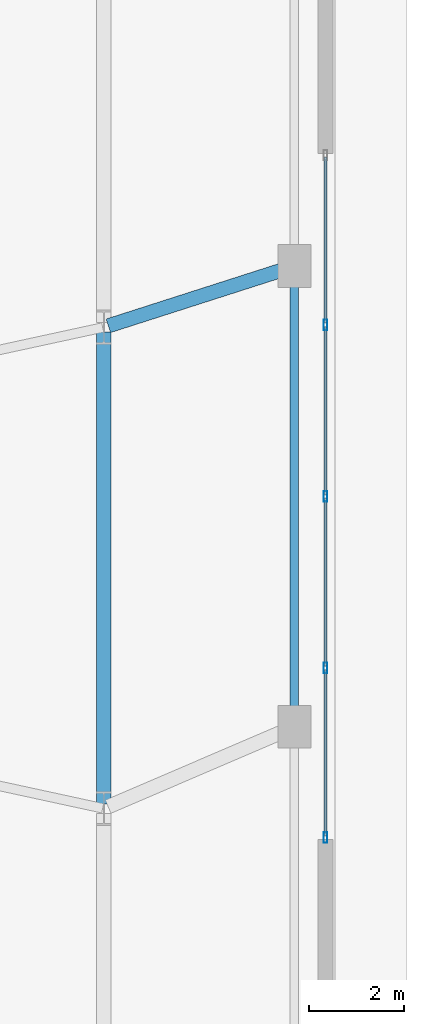
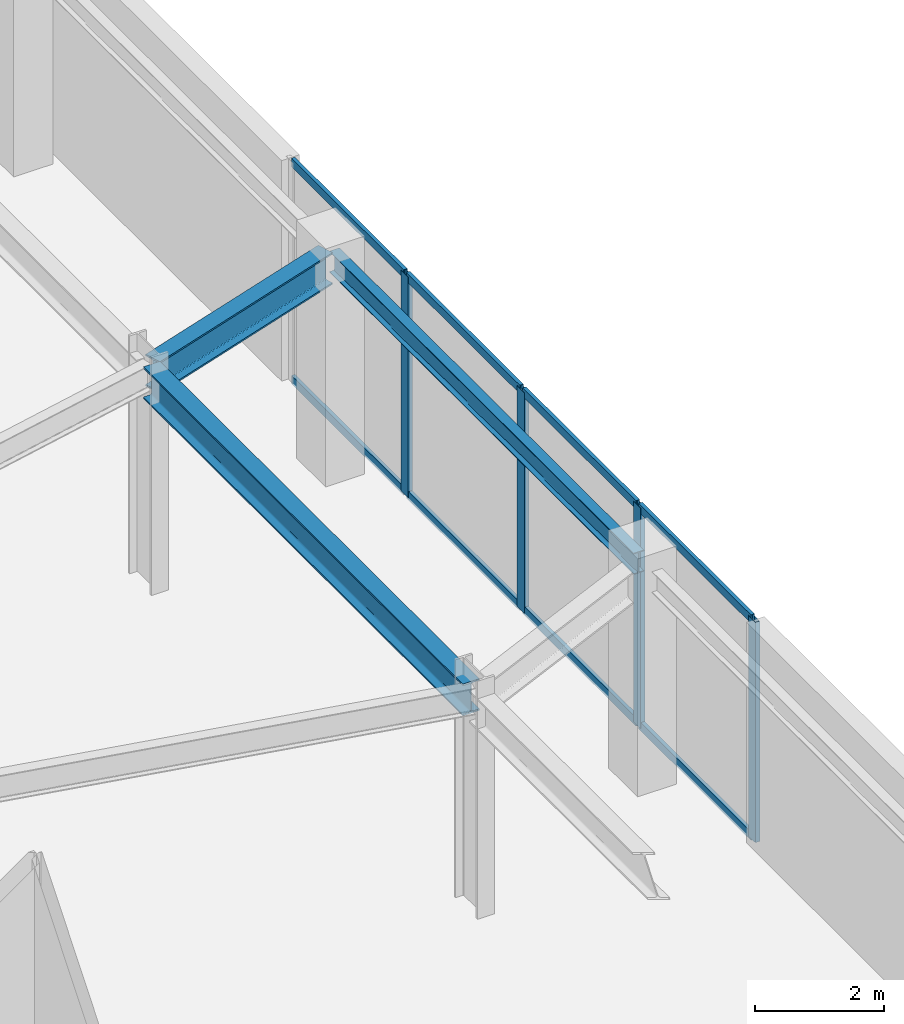
# One storey, part 10 of 21: 12 members, 3 beams, 1 element without a shape of its own.
"""IFC4 building model written with IfcOpenShell, lengths in metres."""

from ifc_helpers import new_model, si_unit, direction, frame, origin, origin_2d, place, context, subcontext, project, spatial, hollow_rectangle, i_section, extrude, material, layer, layer_set, material_profile, profile_set, type_object, element, aggregate, save


model = new_model("IFC4")

# Units and contexts
model_context = context("Model", 3, precision=1e-05, world=origin(), true_north=direction((0.0, 1.0)))
body_context = subcontext(model_context, "Body", "Model", "MODEL_VIEW")
ifc_project = project(units=[si_unit("LENGTHUNIT", "METRE"), si_unit("AREAUNIT", "SQUARE_METRE"), si_unit("VOLUMEUNIT", "CUBIC_METRE"), si_unit("PLANEANGLEUNIT", "RADIAN"), si_unit("MASSUNIT", "GRAM", prefix="KILO")], contexts=[model_context])

# Site, building, storey
site_placement = place(None, origin())
site = spatial("IfcSite", under=ifc_project, at=site_placement, CompositionType="ELEMENT")
building_placement = place(site_placement, origin())
building = spatial("IfcBuilding", under=site, at=building_placement, Name="Qobustan Lattice House", CompositionType="ELEMENT")
storey_placement = place(building_placement, frame((0.0, 0.0, 13.5)))
storey = spatial("IfcBuildingStorey", under=building, at=storey_placement, Name="L03", CompositionType="ELEMENT", Elevation=13.5)

# Beams
ifc_material_1 = material(Name="Steel S355", Category="steel")
ifc_material_profile_1 = material_profile(ifc_material_1, i_section(OverallWidth=0.300048828125, OverallDepth=0.60009765625, WebThickness=0.015380859375, FlangeThickness=0.030029296875, FilletRadius=0.027099609375, at=origin_2d()), Name="HEB600")
ifc_profile_set_1 = profile_set([ifc_material_profile_1], Name="Steel S355")
beam_type_1 = type_object("IfcBeamType", Name="BM-POD-HEB600", PredefinedType="USERDEFINED", material=ifc_profile_set_1)
beam_1_placement = place(storey_placement, frame((32.14990234375, -4.949951171875, 3.8701171875), z_axis=(0.0, 1.0, 0.0), x_axis=(-1.0, 0.0, 0.0)))
element("IfcBeam", 1, at=beam_1_placement, inside=storey, type_object=beam_type_1, Name="L03 tower base ring girder E2-E3", ObjectType="GIRDER", PredefinedType="USERDEFINED", context=body_context, shape_type="SweptSolid", body=[
    extrude(i_section(OverallWidth=0.300048828125, OverallDepth=0.60009765625, WebThickness=0.015380859375, FlangeThickness=0.030029296875, FilletRadius=0.027099609375, at=origin_2d()), origin(), (0.0, 0.0, 1.0), 9.89990234375),
])
beam_2_placement = place(storey_placement, frame((36.03564453125, 6.296630859375, 3.8701171875), z_axis=(-0.952198151545, -0.305481063561, 0.0), x_axis=(0.305481063561, -0.952198151545, 0.0)))
element("IfcBeam", 2, at=beam_2_placement, inside=storey, type_object=beam_type_1, Name="L03 podium radial girder PE3", ObjectType="GIRDER", PredefinedType="USERDEFINED", context=body_context, shape_type="SweptSolid", body=[
    extrude(i_section(OverallWidth=0.300048828125, OverallDepth=0.60009765625, WebThickness=0.015380859375, FlangeThickness=0.030029296875, FilletRadius=0.027099609375, at=origin_2d()), origin(), (0.0, 0.0, 1.0), 3.980712890625),
])
ifc_material_2 = material(Name="Steel S355", Category="steel")
ifc_material_profile_2 = material_profile(ifc_material_2, i_section(OverallWidth=0.179931640625, OverallDepth=0.39990234375, WebThickness=0.008544921875, FlangeThickness=0.013427734375, FilletRadius=0.02099609375, at=origin_2d()), Name="IPE400")
ifc_profile_set_2 = profile_set([ifc_material_profile_2], Name="Steel S355")
beam_type_2 = type_object("IfcBeamType", Name="BM-SPD-IPE400", PredefinedType="SPANDREL", material=ifc_profile_set_2)
beam_3_placement = place(storey_placement, frame((36.14990234375, -3.21337890625, 3.969970703125), z_axis=(0.0, 1.0, 0.0), x_axis=(-1.0, 0.0, 0.0)))
element("IfcBeam", 3, at=beam_3_placement, inside=storey, type_object=beam_type_2, Name="L03 podium spandrel PE2-PE3", PredefinedType="SPANDREL", context=body_context, shape_type="SweptSolid", body=[
    extrude(i_section(OverallWidth=0.179931640625, OverallDepth=0.39990234375, WebThickness=0.008544921875, FlangeThickness=0.013427734375, FilletRadius=0.02099609375, at=origin_2d()), origin(), (0.0, 0.0, 1.0), 9.4267578125),
])

# Curtain wall, members
ifc_material_3 = material(Name="Anodised aluminium and low-E glazing", Category="aluminium")
ifc_layer = layer(ifc_material_3, 0.219970703125)
ifc_layer_set = layer_set([ifc_layer], Name="Anodised aluminium and low-E glazing")
curtain_wall_type = type_object("IfcCurtainWallType", Name="CW-POD-01", PredefinedType="USERDEFINED", material=ifc_layer_set)
curtain_wall_placement = place(storey_placement, origin())
curtain_wall = element("IfcCurtainWall", 4, at=curtain_wall_placement, inside=storey, type_object=curtain_wall_type, Name="L03 E podium colonnade curtain wall", ObjectType="CURTAIN WALL", PredefinedType="USERDEFINED")
ifc_material_4 = material(Name="Anodised aluminium EN AW-6063 T6", Category="aluminium")
ifc_material_profile_3 = material_profile(ifc_material_4, hollow_rectangle(XDim=0.080078125, YDim=0.219970703125, WallThickness=0.0048828125, at=origin_2d()), Name="CWM-220x80")
ifc_profile_set_3 = profile_set([ifc_material_profile_3], Name="Anodised aluminium EN AW-6063 T6")
member_type_1 = type_object("IfcMemberType", Name="CWM-MAIN-220", PredefinedType="MULLION", material=ifc_profile_set_3)
member_1_placement = place(storey_placement, frame((36.800048828125, 5.10009765625, 0.0), z_axis=(0.0, 0.0, 1.0), x_axis=(1.0, 0.0, 0.0)))
member_1 = element("IfcMember", 5, at=member_1_placement, type_object=member_type_1, Name="CW-P1 mullion 2", PredefinedType="MULLION", context=body_context, shape_type="SweptSolid", body=[
    extrude(hollow_rectangle(XDim=0.080078125, YDim=0.219970703125, WallThickness=0.0048828125, at=origin_2d()), origin(), (0.0, 0.0, 1.0), 4.169921875),
])
member_2_placement = place(storey_placement, frame((36.800048828125, 1.5, 0.0), z_axis=(0.0, 0.0, 1.0), x_axis=(1.0, 0.0, 0.0)))
member_2 = element("IfcMember", 6, at=member_2_placement, type_object=member_type_1, Name="CW-P1 mullion 3", PredefinedType="MULLION", context=body_context, shape_type="SweptSolid", body=[
    extrude(hollow_rectangle(XDim=0.080078125, YDim=0.219970703125, WallThickness=0.0048828125, at=origin_2d()), origin(), (0.0, 0.0, 1.0), 4.169921875),
])
member_3_placement = place(storey_placement, frame((36.800048828125, -2.10009765625, 0.0), z_axis=(0.0, 0.0, 1.0), x_axis=(1.0, 0.0, 0.0)))
member_3 = element("IfcMember", 7, at=member_3_placement, type_object=member_type_1, Name="CW-P1 mullion 4", PredefinedType="MULLION", context=body_context, shape_type="SweptSolid", body=[
    extrude(hollow_rectangle(XDim=0.080078125, YDim=0.219970703125, WallThickness=0.0048828125, at=origin_2d()), origin(), (0.0, 0.0, 1.0), 4.169921875),
])
member_4_placement = place(storey_placement, frame((36.800048828125, -5.659912109375, 0.0), z_axis=(0.0, 0.0, 1.0), x_axis=(1.0, 0.0, 0.0)))
member_4 = element("IfcMember", 8, at=member_4_placement, type_object=member_type_1, Name="CW-P1 mullion 5", PredefinedType="MULLION", context=body_context, shape_type="SweptSolid", body=[
    extrude(hollow_rectangle(XDim=0.080078125, YDim=0.219970703125, WallThickness=0.0048828125, at=origin_2d()), origin(), (0.0, 0.0, 1.0), 4.169921875),
])
ifc_material_5 = material(Name="Anodised aluminium EN AW-6063 T6", Category="aluminium")
ifc_material_profile_4 = material_profile(ifc_material_5, hollow_rectangle(XDim=0.06494140625, YDim=0.159912109375, WallThickness=0.00390625, at=origin_2d()), Name="CWT-160x65")
ifc_profile_set_4 = profile_set([ifc_material_profile_4], Name="Anodised aluminium EN AW-6063 T6")
member_type_2 = type_object("IfcMemberType", Name="CWT-HOR-160", PredefinedType="USERDEFINED", material=ifc_profile_set_4)
member_5_placement = place(storey_placement, frame((36.800048828125, 8.6201171875, 0.032470703125), z_axis=(0.0, -1.0, 0.0), x_axis=(1.0, 0.0, 0.0)))
member_5 = element("IfcMember", 9, at=member_5_placement, type_object=member_type_2, Name="CW-P1 transom 1.1", ObjectType="TRANSOM", PredefinedType="USERDEFINED", context=body_context, shape_type="SweptSolid", body=[
    extrude(hollow_rectangle(XDim=0.06494140625, YDim=0.159912109375, WallThickness=0.00390625, at=origin_2d()), origin(), (0.0, 0.0, 1.0), 3.480224609375),
])
member_6_placement = place(storey_placement, frame((36.800048828125, 8.6201171875, 4.137451171875), z_axis=(0.0, -1.0, 0.0), x_axis=(1.0, 0.0, 0.0)))
member_6 = element("IfcMember", 10, at=member_6_placement, type_object=member_type_2, Name="CW-P1 transom 1.2", ObjectType="TRANSOM", PredefinedType="USERDEFINED", context=body_context, shape_type="SweptSolid", body=[
    extrude(hollow_rectangle(XDim=0.06494140625, YDim=0.159912109375, WallThickness=0.00390625, at=origin_2d()), origin(), (0.0, 0.0, 1.0), 3.480224609375),
])
member_7_placement = place(storey_placement, frame((36.800048828125, 5.06005859375, 0.032470703125), z_axis=(0.0, -1.0, 0.0), x_axis=(1.0, 0.0, 0.0)))
member_7 = element("IfcMember", 11, at=member_7_placement, type_object=member_type_2, Name="CW-P1 transom 2.1", ObjectType="TRANSOM", PredefinedType="USERDEFINED", context=body_context, shape_type="SweptSolid", body=[
    extrude(hollow_rectangle(XDim=0.06494140625, YDim=0.159912109375, WallThickness=0.00390625, at=origin_2d()), origin(), (0.0, 0.0, 1.0), 3.52001953125),
])
member_8_placement = place(storey_placement, frame((36.800048828125, 5.06005859375, 4.137451171875), z_axis=(0.0, -1.0, 0.0), x_axis=(1.0, 0.0, 0.0)))
member_8 = element("IfcMember", 12, at=member_8_placement, type_object=member_type_2, Name="CW-P1 transom 2.2", ObjectType="TRANSOM", PredefinedType="USERDEFINED", context=body_context, shape_type="SweptSolid", body=[
    extrude(hollow_rectangle(XDim=0.06494140625, YDim=0.159912109375, WallThickness=0.00390625, at=origin_2d()), origin(), (0.0, 0.0, 1.0), 3.52001953125),
])
member_9_placement = place(storey_placement, frame((36.800048828125, 1.4599609375, 0.032470703125), z_axis=(0.0, -1.0, 0.0), x_axis=(1.0, 0.0, 0.0)))
member_9 = element("IfcMember", 13, at=member_9_placement, type_object=member_type_2, Name="CW-P1 transom 3.1", ObjectType="TRANSOM", PredefinedType="USERDEFINED", context=body_context, shape_type="SweptSolid", body=[
    extrude(hollow_rectangle(XDim=0.06494140625, YDim=0.159912109375, WallThickness=0.00390625, at=origin_2d()), origin(), (0.0, 0.0, 1.0), 3.52001953125),
])
member_10_placement = place(storey_placement, frame((36.800048828125, 1.4599609375, 4.137451171875), z_axis=(0.0, -1.0, 0.0), x_axis=(1.0, 0.0, 0.0)))
member_10 = element("IfcMember", 14, at=member_10_placement, type_object=member_type_2, Name="CW-P1 transom 3.2", ObjectType="TRANSOM", PredefinedType="USERDEFINED", context=body_context, shape_type="SweptSolid", body=[
    extrude(hollow_rectangle(XDim=0.06494140625, YDim=0.159912109375, WallThickness=0.00390625, at=origin_2d()), origin(), (0.0, 0.0, 1.0), 3.52001953125),
])
member_11_placement = place(storey_placement, frame((36.800048828125, -2.139892578125, 0.032470703125), z_axis=(0.0, -1.0, 0.0), x_axis=(1.0, 0.0, 0.0)))
member_11 = element("IfcMember", 15, at=member_11_placement, type_object=member_type_2, Name="CW-P1 transom 4.1", ObjectType="TRANSOM", PredefinedType="USERDEFINED", context=body_context, shape_type="SweptSolid", body=[
    extrude(hollow_rectangle(XDim=0.06494140625, YDim=0.159912109375, WallThickness=0.00390625, at=origin_2d()), origin(), (0.0, 0.0, 1.0), 3.480224609375),
])
member_12_placement = place(storey_placement, frame((36.800048828125, -2.139892578125, 4.137451171875), z_axis=(0.0, -1.0, 0.0), x_axis=(1.0, 0.0, 0.0)))
member_12 = element("IfcMember", 16, at=member_12_placement, type_object=member_type_2, Name="CW-P1 transom 4.2", ObjectType="TRANSOM", PredefinedType="USERDEFINED", context=body_context, shape_type="SweptSolid", body=[
    extrude(hollow_rectangle(XDim=0.06494140625, YDim=0.159912109375, WallThickness=0.00390625, at=origin_2d()), origin(), (0.0, 0.0, 1.0), 3.480224609375),
])
aggregate(curtain_wall, [member_1, member_2, member_3, member_4, member_5, member_6, member_7, member_8, member_9, member_10, member_11, member_12])

save(model, "model.ifc")
